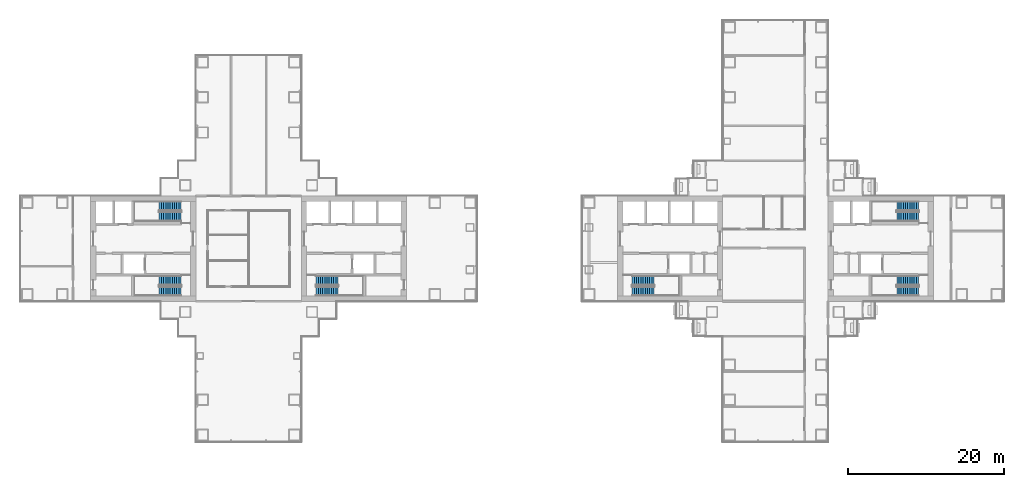
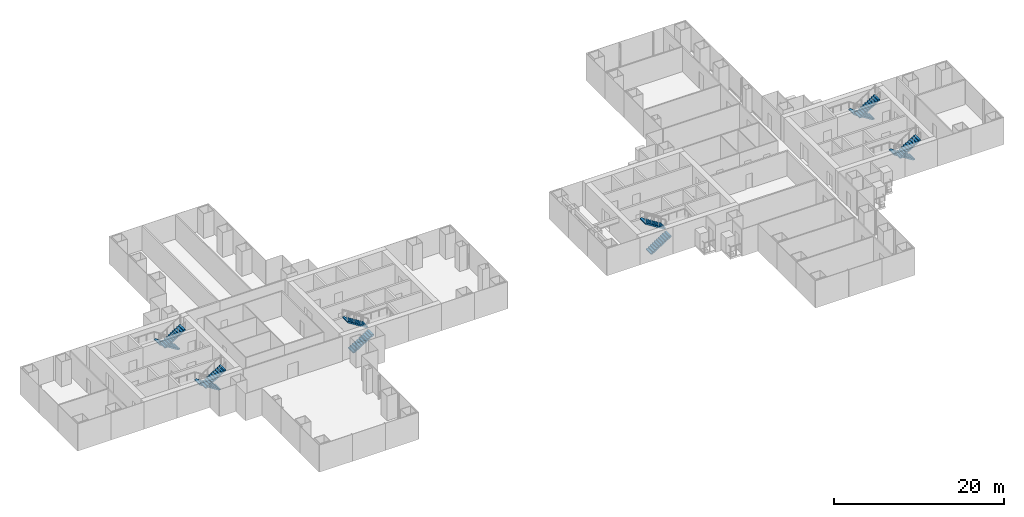
# One storey, part 18 of 21: 12 stair flights, 6 elements without a shape of their own.
"""IFC4 building model written with IfcOpenShell, lengths in metres."""

from ifc_helpers import new_model, si_unit, direction, frame, origin, place, context, subcontext, project, spatial, polyline, outline, extrude, material, type_object, element, aggregate, save


model = new_model("IFC4")

# Units and contexts
model_context = context("Model", 3, precision=1e-05, world=origin(), true_north=direction((0.0, 1.0)))
body_context = subcontext(model_context, "Body", "Model", "MODEL_VIEW")
ifc_project = project(units=[si_unit("LENGTHUNIT", "METRE"), si_unit("AREAUNIT", "SQUARE_METRE"), si_unit("VOLUMEUNIT", "CUBIC_METRE"), si_unit("PLANEANGLEUNIT", "RADIAN"), si_unit("MASSUNIT", "GRAM", prefix="KILO")], contexts=[model_context])

# Site, building, storey
site_placement = place(None, origin())
site = spatial("IfcSite", under=ifc_project, at=site_placement, CompositionType="ELEMENT")
building_placement = place(site_placement, origin())
building = spatial("IfcBuilding", under=site, at=building_placement, Name="Shamsa Quay Exchange Towers", CompositionType="ELEMENT")
storey_placement = place(building_placement, frame((0.0, 0.0, 49.800048828125)))
storey = spatial("IfcBuildingStorey", under=building, at=storey_placement, Name="L10", CompositionType="ELEMENT", Elevation=49.800048828125)

# Stair, stair flights
ifc_material = material(Name="Concrete C40/50", Category="concrete")
stair_type = type_object("IfcStairType", Name="EXIT STAIR 22 RISERS 177 MM", PredefinedType="HALF_TURN_STAIR", material=ifc_material)
stair_1_placement = place(storey_placement, origin())
stair_1 = element("IfcStair", 1, at=stair_1_placement, inside=storey, type_object=stair_type, Name="L10 Exit stair ST1", PredefinedType="HALF_TURN_STAIR")
stair_flight_type = type_object("IfcStairFlightType", Name="EXIT STAIR FLIGHT 11 RISERS 177 MM", PredefinedType="STRAIGHT", material=ifc_material)
stair_flight_1_placement = place(storey_placement, frame((-25.10009765625, -5.449951171875, 0.0)))
stair_flight_1 = element("IfcStairFlight", 2, at=stair_flight_1_placement, type_object=stair_flight_type, Name="ST1 flight 1", NumberOfRisers=11, NumberOfTreads=10, PredefinedType="STRAIGHT", RiserHeight=0.177272727, TreadLength=0.28, context=body_context, shape_type="SweptSolid", body=[
    extrude(outline(polyline([(0.0, 0.0), (0.0, 0.17724609375), (0.280029296875, 0.17724609375), (0.280029296875, 0.3544921875), (0.56005859375, 0.3544921875), (0.56005859375, 0.53173828125), (0.840087890625, 0.53173828125), (0.840087890625, 0.708984375), (1.1201171875, 0.708984375), (1.1201171875, 0.886474609375), (1.39990234375, 0.886474609375), (1.39990234375, 1.063720703125), (1.679931640625, 1.063720703125), (1.679931640625, 1.240966796875), (1.9599609375, 1.240966796875), (1.9599609375, 1.418212890625), (2.239990234375, 1.418212890625), (2.239990234375, 1.595458984375), (2.52001953125, 1.595458984375), (2.52001953125, 1.772705078125), (2.800048828125, 1.772705078125), (2.800048828125, 1.949951171875), (2.800048828125, 1.607177734375), (0.261474609375, 0.0), (0.0, 0.0)])), frame((0.0, 0.60009765625, 0.0), z_axis=(0.0, -1.0, 0.0), x_axis=(1.0, 0.0, 0.0)), (0.0, 0.0, 1.0), 1.199951171875),
])
stair_flight_2_placement = place(storey_placement, frame((-22.300048828125, -4.10009765625, 1.949951171875), z_axis=(0.0, 0.0, 1.0), x_axis=(-1.0, 0.0, 0.0)))
stair_flight_2 = element("IfcStairFlight", 3, at=stair_flight_2_placement, type_object=stair_flight_type, Name="ST1 flight 2", NumberOfRisers=11, NumberOfTreads=10, PredefinedType="STRAIGHT", RiserHeight=0.177272727, TreadLength=0.28, context=body_context, shape_type="SweptSolid", body=[
    extrude(outline(polyline([(0.0, 0.0), (0.0, 0.17724609375), (0.280029296875, 0.17724609375), (0.280029296875, 0.3544921875), (0.56005859375, 0.3544921875), (0.56005859375, 0.53173828125), (0.840087890625, 0.53173828125), (0.840087890625, 0.708984375), (1.1201171875, 0.708984375), (1.1201171875, 0.886474609375), (1.39990234375, 0.886474609375), (1.39990234375, 1.063720703125), (1.679931640625, 1.063720703125), (1.679931640625, 1.240966796875), (1.9599609375, 1.240966796875), (1.9599609375, 1.418212890625), (2.239990234375, 1.418212890625), (2.239990234375, 1.595458984375), (2.52001953125, 1.595458984375), (2.52001953125, 1.772705078125), (2.800048828125, 1.772705078125), (2.800048828125, 1.949951171875), (2.800048828125, 1.607177734375), (0.261474609375, 0.0), (0.0, 0.0)])), frame((0.0, 0.60009765625, 0.0), z_axis=(0.0, -1.0, 0.0), x_axis=(1.0, 0.0, 0.0)), (0.0, 0.0, 1.0), 1.199951171875),
])
aggregate(stair_1, [stair_flight_1, stair_flight_2])

stair_2_placement = place(storey_placement, origin())
stair_2 = element("IfcStair", 4, at=stair_2_placement, inside=storey, type_object=stair_type, Name="L10 Exit stair ST2", PredefinedType="HALF_TURN_STAIR")
stair_flight_3_placement = place(storey_placement, frame((-42.39990234375, -4.10009765625, 0.0), z_axis=(0.0, 0.0, 1.0), x_axis=(-1.0, 0.0, 0.0)))
stair_flight_3 = element("IfcStairFlight", 5, at=stair_flight_3_placement, type_object=stair_flight_type, Name="ST2 flight 1", NumberOfRisers=11, NumberOfTreads=10, PredefinedType="STRAIGHT", RiserHeight=0.177272727, TreadLength=0.28, context=body_context, shape_type="SweptSolid", body=[
    extrude(outline(polyline([(0.0, 0.0), (0.0, 0.17724609375), (0.280029296875, 0.17724609375), (0.280029296875, 0.3544921875), (0.56005859375, 0.3544921875), (0.56005859375, 0.53173828125), (0.840087890625, 0.53173828125), (0.840087890625, 0.708984375), (1.1201171875, 0.708984375), (1.1201171875, 0.886474609375), (1.39990234375, 0.886474609375), (1.39990234375, 1.063720703125), (1.679931640625, 1.063720703125), (1.679931640625, 1.240966796875), (1.9599609375, 1.240966796875), (1.9599609375, 1.418212890625), (2.239990234375, 1.418212890625), (2.239990234375, 1.595458984375), (2.52001953125, 1.595458984375), (2.52001953125, 1.772705078125), (2.800048828125, 1.772705078125), (2.800048828125, 1.949951171875), (2.800048828125, 1.607177734375), (0.261474609375, 0.0), (0.0, 0.0)])), frame((0.0, 0.60009765625, 0.0), z_axis=(0.0, -1.0, 0.0), x_axis=(1.0, 0.0, 0.0)), (0.0, 0.0, 1.0), 1.199951171875),
])
stair_flight_4_placement = place(storey_placement, frame((-45.199951171875, -5.449951171875, 1.949951171875)))
stair_flight_4 = element("IfcStairFlight", 6, at=stair_flight_4_placement, type_object=stair_flight_type, Name="ST2 flight 2", NumberOfRisers=11, NumberOfTreads=10, PredefinedType="STRAIGHT", RiserHeight=0.177272727, TreadLength=0.28, context=body_context, shape_type="SweptSolid", body=[
    extrude(outline(polyline([(0.0, 0.0), (0.0, 0.17724609375), (0.280029296875, 0.17724609375), (0.280029296875, 0.3544921875), (0.56005859375, 0.3544921875), (0.56005859375, 0.53173828125), (0.840087890625, 0.53173828125), (0.840087890625, 0.708984375), (1.1201171875, 0.708984375), (1.1201171875, 0.886474609375), (1.39990234375, 0.886474609375), (1.39990234375, 1.063720703125), (1.679931640625, 1.063720703125), (1.679931640625, 1.240966796875), (1.9599609375, 1.240966796875), (1.9599609375, 1.418212890625), (2.239990234375, 1.418212890625), (2.239990234375, 1.595458984375), (2.52001953125, 1.595458984375), (2.52001953125, 1.772705078125), (2.800048828125, 1.772705078125), (2.800048828125, 1.949951171875), (2.800048828125, 1.607177734375), (0.261474609375, 0.0), (0.0, 0.0)])), frame((0.0, 0.60009765625, 0.0), z_axis=(0.0, -1.0, 0.0), x_axis=(1.0, 0.0, 0.0)), (0.0, 0.0, 1.0), 1.199951171875),
])
aggregate(stair_2, [stair_flight_3, stair_flight_4])

stair_3_placement = place(storey_placement, origin())
stair_3 = element("IfcStair", 7, at=stair_3_placement, inside=storey, type_object=stair_type, Name="L10 Exit stair ST3", PredefinedType="HALF_TURN_STAIR")
stair_flight_5_placement = place(storey_placement, frame((-42.39990234375, 5.449951171875, 0.0), z_axis=(0.0, 0.0, 1.0), x_axis=(-1.0, 0.0, 0.0)))
stair_flight_5 = element("IfcStairFlight", 8, at=stair_flight_5_placement, type_object=stair_flight_type, Name="ST3 flight 1", NumberOfRisers=11, NumberOfTreads=10, PredefinedType="STRAIGHT", RiserHeight=0.177272727, TreadLength=0.28, context=body_context, shape_type="SweptSolid", body=[
    extrude(outline(polyline([(0.0, 0.0), (0.0, 0.17724609375), (0.280029296875, 0.17724609375), (0.280029296875, 0.3544921875), (0.56005859375, 0.3544921875), (0.56005859375, 0.53173828125), (0.840087890625, 0.53173828125), (0.840087890625, 0.708984375), (1.1201171875, 0.708984375), (1.1201171875, 0.886474609375), (1.39990234375, 0.886474609375), (1.39990234375, 1.063720703125), (1.679931640625, 1.063720703125), (1.679931640625, 1.240966796875), (1.9599609375, 1.240966796875), (1.9599609375, 1.418212890625), (2.239990234375, 1.418212890625), (2.239990234375, 1.595458984375), (2.52001953125, 1.595458984375), (2.52001953125, 1.772705078125), (2.800048828125, 1.772705078125), (2.800048828125, 1.949951171875), (2.800048828125, 1.607177734375), (0.261474609375, 0.0), (0.0, 0.0)])), frame((0.0, 0.60009765625, 0.0), z_axis=(0.0, -1.0, 0.0), x_axis=(1.0, 0.0, 0.0)), (0.0, 0.0, 1.0), 1.199951171875),
])
stair_flight_6_placement = place(storey_placement, frame((-45.199951171875, 4.10009765625, 1.949951171875)))
stair_flight_6 = element("IfcStairFlight", 9, at=stair_flight_6_placement, type_object=stair_flight_type, Name="ST3 flight 2", NumberOfRisers=11, NumberOfTreads=10, PredefinedType="STRAIGHT", RiserHeight=0.177272727, TreadLength=0.28, context=body_context, shape_type="SweptSolid", body=[
    extrude(outline(polyline([(0.0, 0.0), (0.0, 0.17724609375), (0.280029296875, 0.17724609375), (0.280029296875, 0.3544921875), (0.56005859375, 0.3544921875), (0.56005859375, 0.53173828125), (0.840087890625, 0.53173828125), (0.840087890625, 0.708984375), (1.1201171875, 0.708984375), (1.1201171875, 0.886474609375), (1.39990234375, 0.886474609375), (1.39990234375, 1.063720703125), (1.679931640625, 1.063720703125), (1.679931640625, 1.240966796875), (1.9599609375, 1.240966796875), (1.9599609375, 1.418212890625), (2.239990234375, 1.418212890625), (2.239990234375, 1.595458984375), (2.52001953125, 1.595458984375), (2.52001953125, 1.772705078125), (2.800048828125, 1.772705078125), (2.800048828125, 1.949951171875), (2.800048828125, 1.607177734375), (0.261474609375, 0.0), (0.0, 0.0)])), frame((0.0, 0.60009765625, 0.0), z_axis=(0.0, -1.0, 0.0), x_axis=(1.0, 0.0, 0.0)), (0.0, 0.0, 1.0), 1.199951171875),
])
aggregate(stair_3, [stair_flight_5, stair_flight_6])

stair_4_placement = place(storey_placement, origin())
stair_4 = element("IfcStair", 10, at=stair_4_placement, inside=storey, type_object=stair_type, Name="L10 Exit stair ST4", PredefinedType="HALF_TURN_STAIR")
stair_flight_7_placement = place(storey_placement, frame((15.39990234375, -5.449951171875, 0.0)))
stair_flight_7 = element("IfcStairFlight", 11, at=stair_flight_7_placement, type_object=stair_flight_type, Name="ST4 flight 1", NumberOfRisers=11, NumberOfTreads=10, PredefinedType="STRAIGHT", RiserHeight=0.177272727, TreadLength=0.28, context=body_context, shape_type="SweptSolid", body=[
    extrude(outline(polyline([(0.0, 0.0), (0.0, 0.17724609375), (0.280029296875, 0.17724609375), (0.280029296875, 0.3544921875), (0.56005859375, 0.3544921875), (0.56005859375, 0.53173828125), (0.840087890625, 0.53173828125), (0.840087890625, 0.708984375), (1.1201171875, 0.708984375), (1.1201171875, 0.886474609375), (1.39990234375, 0.886474609375), (1.39990234375, 1.063720703125), (1.679931640625, 1.063720703125), (1.679931640625, 1.240966796875), (1.9599609375, 1.240966796875), (1.9599609375, 1.418212890625), (2.239990234375, 1.418212890625), (2.239990234375, 1.595458984375), (2.52001953125, 1.595458984375), (2.52001953125, 1.772705078125), (2.800048828125, 1.772705078125), (2.800048828125, 1.949951171875), (2.800048828125, 1.607177734375), (0.261474609375, 0.0), (0.0, 0.0)])), frame((0.0, 0.60009765625, 0.0), z_axis=(0.0, -1.0, 0.0), x_axis=(1.0, 0.0, 0.0)), (0.0, 0.0, 1.0), 1.199951171875),
])
stair_flight_8_placement = place(storey_placement, frame((18.199951171875, -4.10009765625, 1.949951171875), z_axis=(0.0, 0.0, 1.0), x_axis=(-1.0, 0.0, 0.0)))
stair_flight_8 = element("IfcStairFlight", 12, at=stair_flight_8_placement, type_object=stair_flight_type, Name="ST4 flight 2", NumberOfRisers=11, NumberOfTreads=10, PredefinedType="STRAIGHT", RiserHeight=0.177272727, TreadLength=0.28, context=body_context, shape_type="SweptSolid", body=[
    extrude(outline(polyline([(0.0, 0.0), (0.0, 0.17724609375), (0.280029296875, 0.17724609375), (0.280029296875, 0.3544921875), (0.56005859375, 0.3544921875), (0.56005859375, 0.53173828125), (0.840087890625, 0.53173828125), (0.840087890625, 0.708984375), (1.1201171875, 0.708984375), (1.1201171875, 0.886474609375), (1.39990234375, 0.886474609375), (1.39990234375, 1.063720703125), (1.679931640625, 1.063720703125), (1.679931640625, 1.240966796875), (1.9599609375, 1.240966796875), (1.9599609375, 1.418212890625), (2.239990234375, 1.418212890625), (2.239990234375, 1.595458984375), (2.52001953125, 1.595458984375), (2.52001953125, 1.772705078125), (2.800048828125, 1.772705078125), (2.800048828125, 1.949951171875), (2.800048828125, 1.607177734375), (0.261474609375, 0.0), (0.0, 0.0)])), frame((0.0, 0.60009765625, 0.0), z_axis=(0.0, -1.0, 0.0), x_axis=(1.0, 0.0, 0.0)), (0.0, 0.0, 1.0), 1.199951171875),
])
aggregate(stair_4, [stair_flight_7, stair_flight_8])

stair_5_placement = place(storey_placement, origin())
stair_5 = element("IfcStair", 13, at=stair_5_placement, inside=storey, type_object=stair_type, Name="L10 Exit stair ST5", PredefinedType="HALF_TURN_STAIR")
stair_flight_9_placement = place(storey_placement, frame((52.10009765625, -4.10009765625, 0.0), z_axis=(0.0, 0.0, 1.0), x_axis=(-1.0, 0.0, 0.0)))
stair_flight_9 = element("IfcStairFlight", 14, at=stair_flight_9_placement, type_object=stair_flight_type, Name="ST5 flight 1", NumberOfRisers=11, NumberOfTreads=10, PredefinedType="STRAIGHT", RiserHeight=0.177272727, TreadLength=0.28, context=body_context, shape_type="SweptSolid", body=[
    extrude(outline(polyline([(0.0, 0.0), (0.0, 0.17724609375), (0.280029296875, 0.17724609375), (0.280029296875, 0.3544921875), (0.56005859375, 0.3544921875), (0.56005859375, 0.53173828125), (0.840087890625, 0.53173828125), (0.840087890625, 0.708984375), (1.1201171875, 0.708984375), (1.1201171875, 0.886474609375), (1.39990234375, 0.886474609375), (1.39990234375, 1.063720703125), (1.679931640625, 1.063720703125), (1.679931640625, 1.240966796875), (1.9599609375, 1.240966796875), (1.9599609375, 1.418212890625), (2.239990234375, 1.418212890625), (2.239990234375, 1.595458984375), (2.52001953125, 1.595458984375), (2.52001953125, 1.772705078125), (2.800048828125, 1.772705078125), (2.800048828125, 1.949951171875), (2.800048828125, 1.607177734375), (0.261474609375, 0.0), (0.0, 0.0)])), frame((0.0, 0.60009765625, 0.0), z_axis=(0.0, -1.0, 0.0), x_axis=(1.0, 0.0, 0.0)), (0.0, 0.0, 1.0), 1.199951171875),
])
stair_flight_10_placement = place(storey_placement, frame((49.300048828125, -5.449951171875, 1.949951171875)))
stair_flight_10 = element("IfcStairFlight", 15, at=stair_flight_10_placement, type_object=stair_flight_type, Name="ST5 flight 2", NumberOfRisers=11, NumberOfTreads=10, PredefinedType="STRAIGHT", RiserHeight=0.177272727, TreadLength=0.28, context=body_context, shape_type="SweptSolid", body=[
    extrude(outline(polyline([(0.0, 0.0), (0.0, 0.17724609375), (0.280029296875, 0.17724609375), (0.280029296875, 0.3544921875), (0.56005859375, 0.3544921875), (0.56005859375, 0.53173828125), (0.840087890625, 0.53173828125), (0.840087890625, 0.708984375), (1.1201171875, 0.708984375), (1.1201171875, 0.886474609375), (1.39990234375, 0.886474609375), (1.39990234375, 1.063720703125), (1.679931640625, 1.063720703125), (1.679931640625, 1.240966796875), (1.9599609375, 1.240966796875), (1.9599609375, 1.418212890625), (2.239990234375, 1.418212890625), (2.239990234375, 1.595458984375), (2.52001953125, 1.595458984375), (2.52001953125, 1.772705078125), (2.800048828125, 1.772705078125), (2.800048828125, 1.949951171875), (2.800048828125, 1.607177734375), (0.261474609375, 0.0), (0.0, 0.0)])), frame((0.0, 0.60009765625, 0.0), z_axis=(0.0, -1.0, 0.0), x_axis=(1.0, 0.0, 0.0)), (0.0, 0.0, 1.0), 1.199951171875),
])
aggregate(stair_5, [stair_flight_9, stair_flight_10])

stair_6_placement = place(storey_placement, origin())
stair_6 = element("IfcStair", 16, at=stair_6_placement, inside=storey, type_object=stair_type, Name="L10 Exit stair ST6", PredefinedType="HALF_TURN_STAIR")
stair_flight_11_placement = place(storey_placement, frame((52.10009765625, 5.449951171875, 0.0), z_axis=(0.0, 0.0, 1.0), x_axis=(-1.0, 0.0, 0.0)))
stair_flight_11 = element("IfcStairFlight", 17, at=stair_flight_11_placement, type_object=stair_flight_type, Name="ST6 flight 1", NumberOfRisers=11, NumberOfTreads=10, PredefinedType="STRAIGHT", RiserHeight=0.177272727, TreadLength=0.28, context=body_context, shape_type="SweptSolid", body=[
    extrude(outline(polyline([(0.0, 0.0), (0.0, 0.17724609375), (0.280029296875, 0.17724609375), (0.280029296875, 0.3544921875), (0.56005859375, 0.3544921875), (0.56005859375, 0.53173828125), (0.840087890625, 0.53173828125), (0.840087890625, 0.708984375), (1.1201171875, 0.708984375), (1.1201171875, 0.886474609375), (1.39990234375, 0.886474609375), (1.39990234375, 1.063720703125), (1.679931640625, 1.063720703125), (1.679931640625, 1.240966796875), (1.9599609375, 1.240966796875), (1.9599609375, 1.418212890625), (2.239990234375, 1.418212890625), (2.239990234375, 1.595458984375), (2.52001953125, 1.595458984375), (2.52001953125, 1.772705078125), (2.800048828125, 1.772705078125), (2.800048828125, 1.949951171875), (2.800048828125, 1.607177734375), (0.261474609375, 0.0), (0.0, 0.0)])), frame((0.0, 0.60009765625, 0.0), z_axis=(0.0, -1.0, 0.0), x_axis=(1.0, 0.0, 0.0)), (0.0, 0.0, 1.0), 1.199951171875),
])
stair_flight_12_placement = place(storey_placement, frame((49.300048828125, 4.10009765625, 1.949951171875)))
stair_flight_12 = element("IfcStairFlight", 18, at=stair_flight_12_placement, type_object=stair_flight_type, Name="ST6 flight 2", NumberOfRisers=11, NumberOfTreads=10, PredefinedType="STRAIGHT", RiserHeight=0.177272727, TreadLength=0.28, context=body_context, shape_type="SweptSolid", body=[
    extrude(outline(polyline([(0.0, 0.0), (0.0, 0.17724609375), (0.280029296875, 0.17724609375), (0.280029296875, 0.3544921875), (0.56005859375, 0.3544921875), (0.56005859375, 0.53173828125), (0.840087890625, 0.53173828125), (0.840087890625, 0.708984375), (1.1201171875, 0.708984375), (1.1201171875, 0.886474609375), (1.39990234375, 0.886474609375), (1.39990234375, 1.063720703125), (1.679931640625, 1.063720703125), (1.679931640625, 1.240966796875), (1.9599609375, 1.240966796875), (1.9599609375, 1.418212890625), (2.239990234375, 1.418212890625), (2.239990234375, 1.595458984375), (2.52001953125, 1.595458984375), (2.52001953125, 1.772705078125), (2.800048828125, 1.772705078125), (2.800048828125, 1.949951171875), (2.800048828125, 1.607177734375), (0.261474609375, 0.0), (0.0, 0.0)])), frame((0.0, 0.60009765625, 0.0), z_axis=(0.0, -1.0, 0.0), x_axis=(1.0, 0.0, 0.0)), (0.0, 0.0, 1.0), 1.199951171875),
])
aggregate(stair_6, [stair_flight_11, stair_flight_12])

save(model, "model.ifc")
